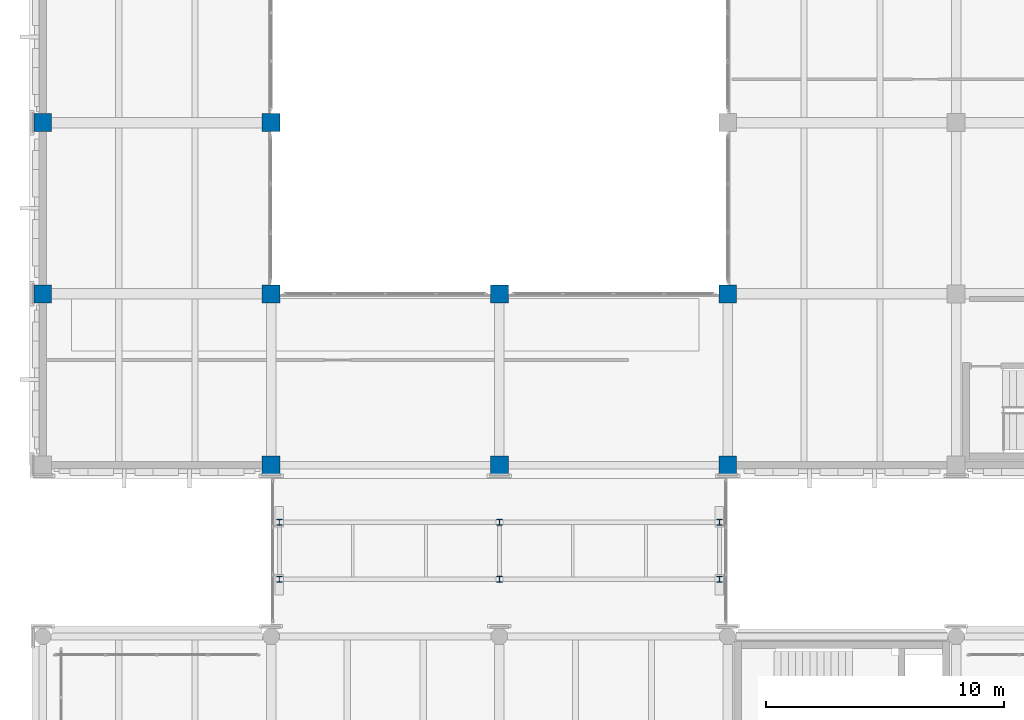
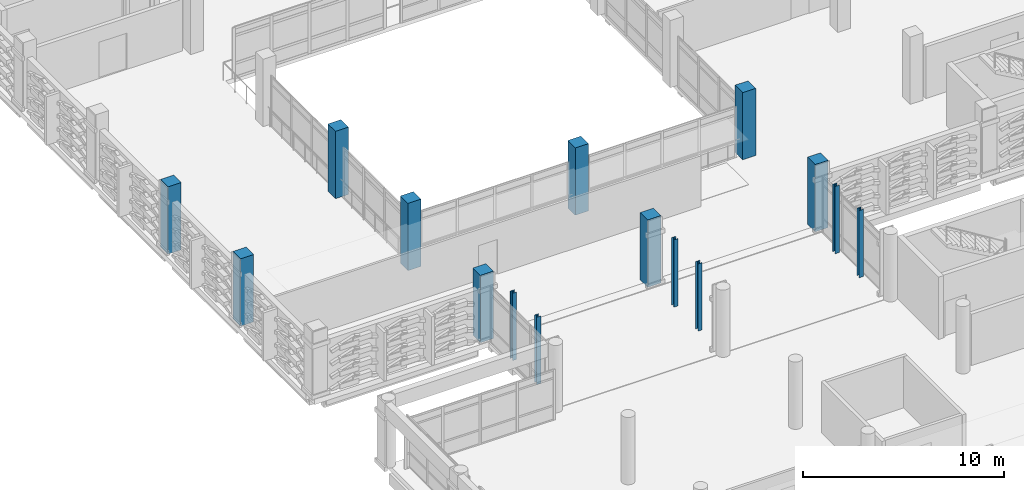
# One storey, part 4 of 180: 15 columns.
"""IFC4 building model written with IfcOpenShell, lengths in metres."""

from ifc_helpers import new_model, si_unit, direction, frame, origin, origin_2d, place, context, subcontext, project, spatial, rectangle, i_section, extrude, material, material_profile, profile_set, type_object, element, save


model = new_model("IFC4")

# Units and contexts
model_context = context("Model", 3, precision=1e-05, world=origin(), true_north=direction((0.0, 1.0)))
body_context = subcontext(model_context, "Body", "Model", "MODEL_VIEW")
ifc_project = project(units=[si_unit("LENGTHUNIT", "METRE"), si_unit("AREAUNIT", "SQUARE_METRE"), si_unit("VOLUMEUNIT", "CUBIC_METRE"), si_unit("PLANEANGLEUNIT", "RADIAN"), si_unit("MASSUNIT", "GRAM", prefix="KILO")], contexts=[model_context])

# Site, building, storey
site_placement = place(None, origin())
site = spatial("IfcSite", under=ifc_project, at=site_placement, CompositionType="ELEMENT")
building_placement = place(site_placement, origin())
building = spatial("IfcBuilding", under=site, at=building_placement, Name="Asteropetra Specialist Clinic", CompositionType="ELEMENT")
storey_placement = place(building_placement, frame((0.0, 0.0, 4.419921875)))
storey = spatial("IfcBuildingStorey", under=building, at=storey_placement, Name="L01", CompositionType="ELEMENT", Elevation=4.419921875)

# Columns
ifc_material_1 = material(Name="Concrete C35/45", Category="concrete")
ifc_material_profile_1 = material_profile(ifc_material_1, rectangle(XDim=0.75, YDim=0.75, at=origin_2d()), Name="RC 750x750")
ifc_profile_set_1 = profile_set([ifc_material_profile_1], Name="Concrete C35/45")
column_type_1 = type_object("IfcColumnType", Name="COL-RC750", PredefinedType="COLUMN", material=ifc_profile_set_1)
for number, where, z_axis, x_axis, name in (
    (1, (0.0, 76.800048828125, 0.0), (0.0, 0.0, 1.0), (1.0, 0.0, 0.0), "Column CCOL02-0046"),
    (2, (0.0, 84.0, 0.0), (0.0, 0.0, 1.0), (1.0, 0.0, 0.0), "Column CCOL02-0052"),
    (3, (9.60009765625, 69.60009765625, 0.0), (0.0, 0.0, 1.0), (1.0, 0.0, 0.0), "Column CCOL02-0122"),
    (4, (9.60009765625, 76.800048828125, 0.0), (0.0, 0.0, 1.0), (1.0, 0.0, 0.0), "Column CCOL02-0126"),
    (5, (9.60009765625, 84.0, 0.0), (0.0, 0.0, 1.0), (1.0, 0.0, 0.0), "Column CCOL02-0132"),
    (6, (19.199951171875, 69.60009765625, 0.0), (0.0, 0.0, 1.0), (1.0, 0.0, 0.0), "Column CCOL02-0234"),
    (7, (19.199951171875, 76.800048828125, 0.0), (0.0, 0.0, 1.0), (1.0, 0.0, 0.0), "Column CCOL02-0238"),
    (8, (28.800048828125, 69.60009765625, 0.0), (0.0, 0.0, 1.0), (1.0, 0.0, 0.0), "Column CCOL02-0318"),
    (9, (28.800048828125, 76.800048828125, 0.0), (0.0, 0.0, 1.0), (1.0, 0.0, 0.0), "Column CCOL02-0322"),
):
    element("IfcColumn", number, at=place(storey_placement, frame(where, z_axis=z_axis, x_axis=x_axis)), inside=storey, type_object=column_type_1, Name=name, PredefinedType="COLUMN", context=body_context, shape_type="SweptSolid", body=[
        extrude(rectangle(XDim=0.75, YDim=0.75, at=origin_2d()), origin(), (0.0, 0.0, 1.0), 4.080078125),
    ])
ifc_material_2 = material(Name="Steel S355", Category="steel")
ifc_material_profile_2 = material_profile(ifc_material_2, i_section(OverallWidth=0.239990234375, OverallDepth=0.239990234375, WebThickness=0.010009765625, FlangeThickness=0.01708984375, FilletRadius=0.02099609375, at=origin_2d()), Name="HEB 240")
ifc_profile_set_2 = profile_set([ifc_material_profile_2], Name="Steel S355")
column_type_2 = type_object("IfcColumnType", Name="COL-STL-HEB240", PredefinedType="COLUMN", material=ifc_profile_set_2)
for number, where, z_axis, x_axis, name in (
    (10, (9.949951171875, 64.800048828125, 0.0), (0.0, 0.0, 1.0), (1.0, 0.0, 0.0), "Column CCOLS2-0170"),
    (11, (9.949951171875, 67.199951171875, 0.0), (0.0, 0.0, 1.0), (1.0, 0.0, 0.0), "Column CCOLS2-0174"),
    (12, (19.199951171875, 64.800048828125, 0.0), (0.0, 0.0, 1.0), (1.0, 0.0, 0.0), "Column CCOLS2-0226"),
    (13, (19.199951171875, 67.199951171875, 0.0), (0.0, 0.0, 1.0), (1.0, 0.0, 0.0), "Column CCOLS2-0230"),
    (14, (28.449951171875, 64.800048828125, 0.0), (0.0, 0.0, 1.0), (1.0, 0.0, 0.0), "Column CCOLS2-0270"),
    (15, (28.449951171875, 67.199951171875, 0.0), (0.0, 0.0, 1.0), (1.0, 0.0, 0.0), "Column CCOLS2-0274"),
):
    element("IfcColumn", number, at=place(storey_placement, frame(where, z_axis=z_axis, x_axis=x_axis)), inside=storey, type_object=column_type_2, Name=name, PredefinedType="COLUMN", context=body_context, shape_type="SweptSolid", body=[
        extrude(i_section(OverallWidth=0.239990234375, OverallDepth=0.239990234375, WebThickness=0.010009765625, FlangeThickness=0.01708984375, FilletRadius=0.02099609375, at=origin_2d()), origin(), (0.0, 0.0, 1.0), 4.080078125),
    ])

save(model, "model.ifc")
